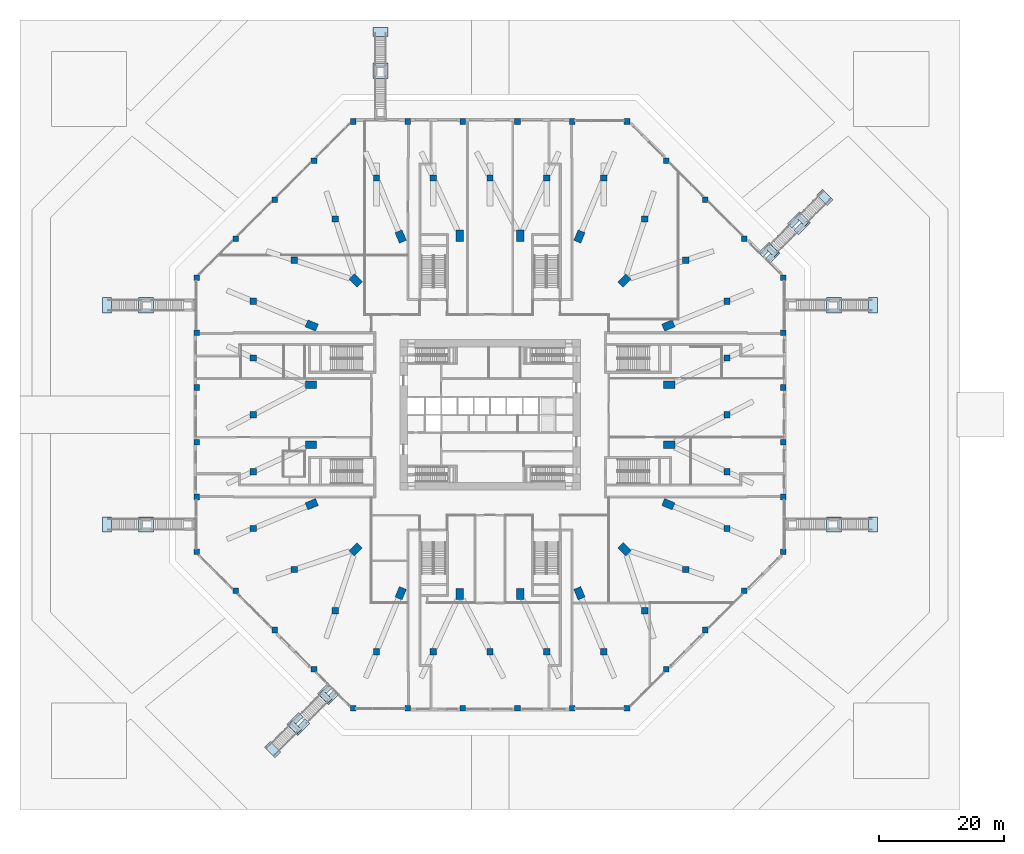
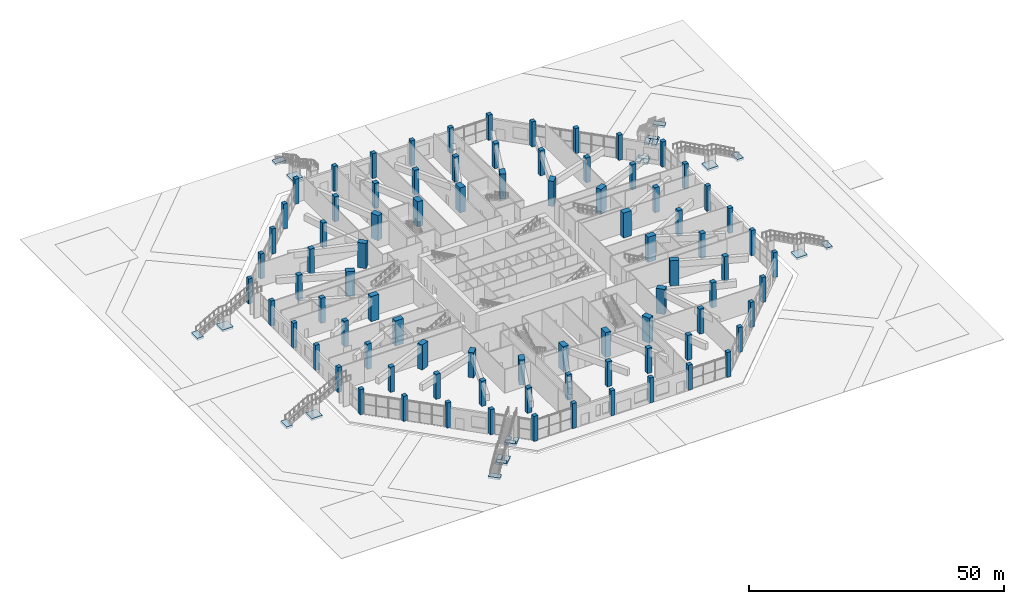
# One storey, part 1 of 36: 84 columns, 24 footings.
"""IFC4 building model written with IfcOpenShell, lengths in metres."""

import ifcopenshell
import ifcopenshell.guid

model = None  # the IFC model being written
_history = None  # IfcOwnerHistory: only IFC2X3 demands one
_inside = {}  # id of a spatial element -> (the spatial element, [elements in it])
_under = {}  # id of a project, library or spatial element -> (it, [spatial elements below it])
_declared = {}  # id of a project -> (the project, [libraries it declares])
_typed = {}  # id of a type object -> (the type object, [elements of that type])
_made_of = {}  # id of a material, layer set ... -> (it, [elements and type objects made of it])


def new_model(schema):
    """Start an empty IFC model of exactly this schema.

    Asked for "IFC4X3", IfcOpenShell would pick the latest addendum, in which some entities
    have other attributes; the version numbers below select the first issue.
    IFC2X3 requires an IfcOwnerHistory on every rooted entity: one is made here for all.
    """
    global model, _history
    if schema == "IFC4X3":
        model = ifcopenshell.file(schema_version=(4, 3, 0, 0))
    else:
        model = ifcopenshell.file(schema=schema)
    _inside.clear()
    _under.clear()
    _declared.clear()
    _typed.clear()
    _made_of.clear()
    _history = None
    if model.schema == "IFC2X3":
        org = make("IfcOrganization", Name="unknown")
        user = make(
            "IfcPersonAndOrganization",
            ThePerson=make("IfcPerson", FamilyName="unknown"),
            TheOrganization=org,
        )
        app = make(
            "IfcApplication",
            ApplicationDeveloper=org,
            Version="unknown",
            ApplicationFullName="unknown",
            ApplicationIdentifier="unknown",
        )
        _history = make(
            "IfcOwnerHistory",
            OwningUser=user,
            OwningApplication=app,
            ChangeAction="ADDED",
            CreationDate=0,
        )
    return model


def make(cls, **values):
    """One entity of the class cls with the attributes given. An attribute that is None is left unset."""
    return model.create_entity(
        cls, **{name: value for name, value in values.items() if value is not None}
    )


def rooted(cls, **values):
    """An entity with a GlobalId (a new one), such as an element, a storey or a relation."""
    return make(cls, GlobalId=ifcopenshell.guid.new(), OwnerHistory=_history, **values)


def si_unit(unit_type, name, prefix=None):
    """IfcSIUnit, for example si_unit("LENGTHUNIT", "METRE", prefix="MILLI")."""
    return make("IfcSIUnit", UnitType=unit_type, Prefix=prefix, Name=name)


def assignment(units):
    """IfcUnitAssignment: the units of a project."""
    return None if units is None else make("IfcUnitAssignment", Units=units)


def point(xyz):
    """IfcCartesianPoint."""
    return None if xyz is None else make("IfcCartesianPoint", Coordinates=xyz)


def direction(xyz):
    """IfcDirection."""
    return None if xyz is None else make("IfcDirection", DirectionRatios=xyz)


def frame(location, z_axis=None, x_axis=None):
    """IfcAxis2Placement3D, a coordinate frame: its origin and axes. An axis left out is left unset."""
    return make(
        "IfcAxis2Placement3D",
        Location=point(location),
        Axis=direction(z_axis),
        RefDirection=direction(x_axis),
    )


def frame_2d(location, x_axis=None):
    """IfcAxis2Placement2D, a coordinate frame in the plane: its origin and x axis."""
    return make(
        "IfcAxis2Placement2D", Location=point(location), RefDirection=direction(x_axis)
    )


def origin():
    """The frame at (0, 0, 0) with its axes left unset."""
    return frame((0.0, 0.0, 0.0))


def origin_2d():
    """The frame at (0, 0) in the plane with its x axis left unset."""
    return frame_2d((0.0, 0.0))


def place(relative_to, where):
    """IfcLocalPlacement: puts the frame where relative to a parent placement (None: the world)."""
    return make(
        "IfcLocalPlacement", PlacementRelTo=relative_to, RelativePlacement=where
    )


def context(
    kind, dimensions, precision=None, world=None, true_north=None, identifier=None
):
    """IfcGeometricRepresentationContext, for example the 3D "Model" context."""
    return make(
        "IfcGeometricRepresentationContext",
        ContextIdentifier=identifier,
        ContextType=kind,
        CoordinateSpaceDimension=dimensions,
        Precision=precision,
        WorldCoordinateSystem=world,
        TrueNorth=true_north,
    )


def subcontext(parent, identifier, kind, view, scale=None):
    """IfcGeometricRepresentationSubContext, for example "Body" below "Model"."""
    return make(
        "IfcGeometricRepresentationSubContext",
        ContextIdentifier=identifier,
        ContextType=kind,
        ParentContext=parent,
        TargetScale=scale,
        TargetView=view,
    )


def project(units=None, contexts=None):
    """IfcProject with its units and contexts."""
    return rooted(
        "IfcProject",
        Name="project",
        RepresentationContexts=contexts,
        UnitsInContext=assignment(units),
    )


def spatial(cls, under=None, at=None, **own):
    """A site, building, storey or space (cls), placed at a placement, below another one or the project."""
    s = rooted(cls, ObjectPlacement=at, **own)
    if under is not None:
        _under.setdefault(under.id(), (under, []))[1].append(s)
    return s


def polyline(points):
    """IfcPolyline through the points."""
    return make("IfcPolyline", Points=[point(p) for p in points])


def profile(cls, at=None, kind="AREA", **sizes):
    """A parametric profile (cls). Its sizes go by their IFC names, for example OverallWidth=200.0."""
    return make(cls, ProfileType=kind, Position=at, **sizes)


def rectangle(**sizes):
    """IfcRectangleProfileDef."""
    return profile("IfcRectangleProfileDef", **sizes)


def outline(outer, holes=None, kind="AREA"):
    """IfcArbitraryClosedProfileDef: a profile drawn as a closed curve; with holes, ...WithVoids."""
    if holes is None:
        return make("IfcArbitraryClosedProfileDef", ProfileType=kind, OuterCurve=outer)
    return make(
        "IfcArbitraryProfileDefWithVoids",
        ProfileType=kind,
        OuterCurve=outer,
        InnerCurves=holes,
    )


def extrude(swept, where, along, depth):
    """IfcExtrudedAreaSolid: the profile swept, set in the frame where, extruded along a direction by depth."""
    return make(
        "IfcExtrudedAreaSolid",
        SweptArea=swept,
        Position=where,
        ExtrudedDirection=direction(along),
        Depth=depth,
    )


def shape(context_of_items, identifier, shape_type, items):
    """IfcShapeRepresentation: the items that make up one representation, for example the "Body"."""
    return make(
        "IfcShapeRepresentation",
        ContextOfItems=context_of_items,
        RepresentationIdentifier=identifier,
        RepresentationType=shape_type,
        Items=items,
    )


def material(Name=None, Category=None):
    """IfcMaterial."""
    return make("IfcMaterial", Name=Name, Category=Category)


def layer(
    of_material, thickness, ventilated=None, Name=None, Category=None, Priority=None
):
    """IfcMaterialLayer: one layer of a wall or slab, of a material (None: an air gap)."""
    return make(
        "IfcMaterialLayer",
        Material=of_material,
        LayerThickness=thickness,
        IsVentilated=ventilated,
        Name=Name,
        Category=Category,
        Priority=Priority,
    )


def layer_set(layers, Name=None):
    """IfcMaterialLayerSet."""
    return make("IfcMaterialLayerSet", MaterialLayers=layers, LayerSetName=Name)


def material_profile(
    of_material, cross_section, Name=None, Category=None, Priority=None
):
    """IfcMaterialProfile: a cross section and its material."""
    return make(
        "IfcMaterialProfile",
        Name=Name,
        Material=of_material,
        Profile=cross_section,
        Priority=Priority,
        Category=Category,
    )


def profile_set(profiles, Name=None, composite=None):
    """IfcMaterialProfileSet."""
    return make(
        "IfcMaterialProfileSet",
        Name=Name,
        MaterialProfiles=profiles,
        CompositeProfile=composite,
    )


def made_of(thing, what):
    """Note that an element or type object is made of a material, layer set ...; save() writes the relation."""
    if what is not None:
        _made_of.setdefault(what.id(), (what, []))[1].append(thing)
    return thing


def type_object(cls, material=None, **own):
    """A type object (cls), such as IfcWallType, which elements share."""
    return made_of(rooted(cls, **own), material)


def element(
    cls,
    number,
    at=None,
    inside=None,
    cuts=None,
    type_object=None,
    material=None,
    context=None,
    identifier="Body",
    shape_type=None,
    held_by="IfcProductDefinitionShape",
    body=None,
    shapes=None,
    **own,
):
    """One element of the class cls, such as IfcWall. Its Tag is "e" and its number.

    at: its placement. inside: the storey or other place that contains it. cuts: it is an
    opening in that element (IfcRelVoidsElement). A single representation is given by context,
    identifier, shape_type and body (its items); several are given by shapes. held_by: the class
    of the entity that holds the representations. save() writes the other relations.
    """
    e = rooted(cls, Tag="e%d" % number, ObjectPlacement=at, **own)
    if body is not None:
        shapes = [shape(context, identifier, shape_type, body)]
    if shapes is not None:
        e.Representation = make(held_by, Representations=shapes)
    if inside is not None:
        _inside.setdefault(inside.id(), (inside, []))[1].append(e)
    if cuts is not None:
        rooted(
            "IfcRelVoidsElement", RelatingBuildingElement=cuts, RelatedOpeningElement=e
        )
    if type_object is not None:
        _typed.setdefault(type_object.id(), (type_object, []))[1].append(e)
    return made_of(e, material)


def aggregate(whole, parts):
    """IfcRelAggregates: a whole, such as a stair, and the parts it consists of."""
    return rooted("IfcRelAggregates", RelatingObject=whole, RelatedObjects=parts)


def save(model, path):
    """Write the relations noted so far, then the file.

    IfcRelAggregates (storeys below a building ...), IfcRelContainedInSpatialStructure (elements
    in a storey), IfcRelDefinesByType, IfcRelAssociatesMaterial and IfcRelDeclares: one each for
    every whole, place, type object, material and project.
    """
    for whole, parts in _under.values():
        aggregate(whole, parts)
    for where, things in _inside.values():
        rooted(
            "IfcRelContainedInSpatialStructure",
            RelatedElements=things,
            RelatingStructure=where,
        )
    for kind, things in _typed.values():
        rooted("IfcRelDefinesByType", RelatedObjects=things, RelatingType=kind)
    for what, things in _made_of.values():
        rooted("IfcRelAssociatesMaterial", RelatedObjects=things, RelatingMaterial=what)
    for by, libraries in _declared.values():
        rooted("IfcRelDeclares", RelatingContext=by, RelatedDefinitions=libraries)
    model.write(path)


model = new_model("IFC4")

# Units and contexts
model_context = context("Model", 3, precision=1e-05, world=origin(), true_north=direction((0.0, 1.0)))
body_context = subcontext(model_context, "Body", "Model", "MODEL_VIEW")
ifc_project = project(units=[si_unit("LENGTHUNIT", "METRE"), si_unit("AREAUNIT", "SQUARE_METRE"), si_unit("VOLUMEUNIT", "CUBIC_METRE"), si_unit("PLANEANGLEUNIT", "RADIAN"), si_unit("MASSUNIT", "GRAM", prefix="KILO")], contexts=[model_context])

# Site, building, storey
site_placement = place(None, origin())
site = spatial("IfcSite", under=ifc_project, at=site_placement, CompositionType="ELEMENT")
building_placement = place(site_placement, origin())
building = spatial("IfcBuilding", under=site, at=building_placement, Name="Msitu Wima Residences", CompositionType="ELEMENT")
storey_placement = place(building_placement, origin())
storey = spatial("IfcBuildingStorey", under=building, at=storey_placement, Name="L00", CompositionType="ELEMENT", Elevation=0.0)

# Footings
ifc_material_1 = material(Name="Concrete C40/50", Category="concrete")
ifc_layer = layer(ifc_material_1, 0.5)
ifc_layer_set = layer_set([ifc_layer], Name="Concrete C40/50")
footing_type_1 = type_object("IfcFootingType", Name="Garden stair pad footing PF1", PredefinedType="PAD_FOOTING", material=ifc_layer_set)
footing_1_placement = place(storey_placement, frame((0.0, 0.0, -0.5)))
element("IfcFooting", 1, at=footing_1_placement, inside=storey, type_object=footing_type_1, Name="Garden stair 1 landing footing", PredefinedType="PAD_FOOTING", context=body_context, shape_type="SweptSolid", body=[
    extrude(outline(polyline([(53.699951171875, 16.28466796875), (53.699951171875, 18.6845703125), (56.10009765625, 18.6845703125), (56.10009765625, 16.28466796875), (53.699951171875, 16.28466796875)])), origin(), (0.0, 0.0, 1.0), 0.5),
])
footing_2_placement = place(storey_placement, frame((0.0, 0.0, -0.5)))
element("IfcFooting", 2, at=footing_2_placement, inside=storey, type_object=footing_type_1, Name="Garden stair 1 foot footing", PredefinedType="PAD_FOOTING", context=body_context, shape_type="SweptSolid", body=[
    extrude(outline(polyline([(60.39990234375, 16.28466796875), (60.39990234375, 18.6845703125), (61.800048828125, 18.6845703125), (61.800048828125, 16.28466796875), (60.39990234375, 16.28466796875)])), origin(), (0.0, 0.0, 1.0), 0.5),
])
footing_3_placement = place(storey_placement, frame((0.0, 0.0, -0.5)))
element("IfcFooting", 3, at=footing_3_placement, inside=storey, type_object=footing_type_1, Name="Garden stair 2 landing footing", PredefinedType="PAD_FOOTING", context=body_context, shape_type="SweptSolid", body=[
    extrude(outline(polyline([(53.699951171875, -18.6845703125), (53.699951171875, -16.28466796875), (56.10009765625, -16.28466796875), (56.10009765625, -18.6845703125), (53.699951171875, -18.6845703125)])), origin(), (0.0, 0.0, 1.0), 0.5),
])
footing_4_placement = place(storey_placement, frame((0.0, 0.0, -0.5)))
element("IfcFooting", 4, at=footing_4_placement, inside=storey, type_object=footing_type_1, Name="Garden stair 2 foot footing", PredefinedType="PAD_FOOTING", context=body_context, shape_type="SweptSolid", body=[
    extrude(outline(polyline([(60.39990234375, -18.6845703125), (60.39990234375, -16.28466796875), (61.800048828125, -16.28466796875), (61.800048828125, -18.6845703125), (60.39990234375, -18.6845703125)])), origin(), (0.0, 0.0, 1.0), 0.5),
])
footing_5_placement = place(storey_placement, frame((0.0, 0.0, -0.5)))
element("IfcFooting", 5, at=footing_5_placement, inside=storey, type_object=footing_type_1, Name="Garden stair 3 landing footing", PredefinedType="PAD_FOOTING", context=body_context, shape_type="SweptSolid", body=[
    extrude(outline(polyline([(-53.699951171875, -16.28466796875), (-53.699951171875, -18.6845703125), (-56.10009765625, -18.6845703125), (-56.10009765625, -16.28466796875), (-53.699951171875, -16.28466796875)])), origin(), (0.0, 0.0, 1.0), 0.5),
])
footing_6_placement = place(storey_placement, frame((0.0, 0.0, -0.5)))
element("IfcFooting", 6, at=footing_6_placement, inside=storey, type_object=footing_type_1, Name="Garden stair 3 foot footing", PredefinedType="PAD_FOOTING", context=body_context, shape_type="SweptSolid", body=[
    extrude(outline(polyline([(-60.39990234375, -16.28466796875), (-60.39990234375, -18.6845703125), (-61.800048828125, -18.6845703125), (-61.800048828125, -16.28466796875), (-60.39990234375, -16.28466796875)])), origin(), (0.0, 0.0, 1.0), 0.5),
])
footing_7_placement = place(storey_placement, frame((0.0, 0.0, -0.5)))
element("IfcFooting", 7, at=footing_7_placement, inside=storey, type_object=footing_type_1, Name="Garden stair 4 landing footing", PredefinedType="PAD_FOOTING", context=body_context, shape_type="SweptSolid", body=[
    extrude(outline(polyline([(-53.699951171875, 18.6845703125), (-53.699951171875, 16.28466796875), (-56.10009765625, 16.28466796875), (-56.10009765625, 18.6845703125), (-53.699951171875, 18.6845703125)])), origin(), (0.0, 0.0, 1.0), 0.5),
])
footing_8_placement = place(storey_placement, frame((0.0, 0.0, -0.5)))
element("IfcFooting", 8, at=footing_8_placement, inside=storey, type_object=footing_type_1, Name="Garden stair 4 foot footing", PredefinedType="PAD_FOOTING", context=body_context, shape_type="SweptSolid", body=[
    extrude(outline(polyline([(-60.39990234375, 18.6845703125), (-60.39990234375, 16.28466796875), (-61.800048828125, 16.28466796875), (-61.800048828125, 18.6845703125), (-60.39990234375, 18.6845703125)])), origin(), (0.0, 0.0, 1.0), 0.5),
])
footing_9_placement = place(storey_placement, frame((0.0, 0.0, -0.5)))
element("IfcFooting", 9, at=footing_9_placement, inside=storey, type_object=footing_type_1, Name="Garden stair 5 landing footing", PredefinedType="PAD_FOOTING", context=body_context, shape_type="SweptSolid", body=[
    extrude(outline(polyline([(-16.28466796875, 53.699951171875), (-18.6845703125, 53.699951171875), (-18.6845703125, 56.10009765625), (-16.28466796875, 56.10009765625), (-16.28466796875, 53.699951171875)])), origin(), (0.0, 0.0, 1.0), 0.5),
])
footing_10_placement = place(storey_placement, frame((0.0, 0.0, -0.5)))
element("IfcFooting", 10, at=footing_10_placement, inside=storey, type_object=footing_type_1, Name="Garden stair 5 foot footing", PredefinedType="PAD_FOOTING", context=body_context, shape_type="SweptSolid", body=[
    extrude(outline(polyline([(-16.28466796875, 60.39990234375), (-18.6845703125, 60.39990234375), (-18.6845703125, 61.800048828125), (-16.28466796875, 61.800048828125), (-16.28466796875, 60.39990234375)])), origin(), (0.0, 0.0, 1.0), 0.5),
])
ifc_material_2 = material(Name="Concrete C30/37", Category="concrete")
footing_type_2 = type_object("IfcFootingType", Name="Stair strip footing SF1000", PredefinedType="STRIP_FOOTING", material=ifc_material_2)
for number, where, z_axis, x_axis, name in (
    (11, (45.060791015625, 25.2919921875, -0.5), (0.0, 0.0, 1.0), (0.707106781187, 0.707106781187, 0.0), "Stair strip footing NE1"),
    (12, (44.000244140625, 26.352783203125, -0.5), (0.0, 0.0, 1.0), (0.707106781187, 0.707106781187, 0.0), "Stair strip footing NE1"),
):
    element("IfcFooting", number, at=place(storey_placement, frame(where, z_axis=z_axis, x_axis=x_axis)), inside=storey, type_object=footing_type_2, Name=name, PredefinedType="STRIP_FOOTING", context=body_context, shape_type="SweptSolid", body=[
        extrude(rectangle(XDim=2.39990234375, YDim=1.0, at=origin_2d()), origin(), (0.0, 0.0, 1.0), 0.5),
    ])
footing_11_placement = place(storey_placement, frame((44.990234375, 26.281982421875, -0.5), z_axis=(0.0, 0.0, 1.0), x_axis=(-0.707106781187, 0.707106781187, 0.0)))
element("IfcFooting", 13, at=footing_11_placement, inside=storey, type_object=footing_type_2, Name="Stair strip footing NE1", PredefinedType="STRIP_FOOTING", context=body_context, shape_type="SweptSolid", body=[
    extrude(rectangle(XDim=2.0, YDim=1.0, at=origin_2d()), origin(), (0.0, 0.0, 1.0), 0.5),
])
for number, where, z_axis, x_axis, name in (
    (14, (49.83056640625, 30.061767578125, -0.5), (0.0, 0.0, 1.0), (0.707106781187, 0.707106781187, 0.0), "Stair strip footing NE1"),
    (15, (48.769775390625, 31.122314453125, -0.5), (0.0, 0.0, 1.0), (0.707106781187, 0.707106781187, 0.0), "Stair strip footing NE1"),
):
    element("IfcFooting", number, at=place(storey_placement, frame(where, z_axis=z_axis, x_axis=x_axis)), inside=storey, type_object=footing_type_2, Name=name, PredefinedType="STRIP_FOOTING", context=body_context, shape_type="SweptSolid", body=[
        extrude(rectangle(XDim=2.70947265625, YDim=1.0, at=origin_2d()), origin(), (0.0, 0.0, 1.0), 0.5),
    ])
footing_12_placement = place(storey_placement, frame((49.869140625, 31.1611328125, -0.5), z_axis=(0.0, 0.0, 1.0), x_axis=(-0.707106781187, 0.707106781187, 0.0)))
element("IfcFooting", 16, at=footing_12_placement, inside=storey, type_object=footing_type_2, Name="Stair strip footing NE1", PredefinedType="STRIP_FOOTING", context=body_context, shape_type="SweptSolid", body=[
    extrude(rectangle(XDim=2.0, YDim=1.0, at=origin_2d()), origin(), (0.0, 0.0, 1.0), 0.5),
])
footing_13_placement = place(storey_placement, frame((53.40478515625, 34.696533203125, -0.5), z_axis=(0.0, 0.0, 1.0), x_axis=(-0.707106781187, -0.707106781187, 0.0)))
element("IfcFooting", 17, at=footing_13_placement, inside=storey, type_object=footing_type_2, Name="Stair foot footing NE1", PredefinedType="STRIP_FOOTING", context=body_context, shape_type="SweptSolid", body=[
    extrude(rectangle(XDim=1.300048828125, YDim=2.39990234375, at=origin_2d()), origin(), (0.0, 0.0, 1.0), 0.5),
])
for number, where, z_axis, x_axis, name in (
    (18, (-26.352783203125, -44.000244140625, -0.5), (0.0, 0.0, 1.0), (-0.707106781187, -0.707106781187, 0.0), "Stair strip footing SW4"),
    (19, (-25.2919921875, -45.060791015625, -0.5), (0.0, 0.0, 1.0), (-0.707106781187, -0.707106781187, 0.0), "Stair strip footing SW4"),
):
    element("IfcFooting", number, at=place(storey_placement, frame(where, z_axis=z_axis, x_axis=x_axis)), inside=storey, type_object=footing_type_2, Name=name, PredefinedType="STRIP_FOOTING", context=body_context, shape_type="SweptSolid", body=[
        extrude(rectangle(XDim=2.39990234375, YDim=1.0, at=origin_2d()), origin(), (0.0, 0.0, 1.0), 0.5),
    ])
footing_14_placement = place(storey_placement, frame((-26.281982421875, -44.990234375, -0.5), z_axis=(0.0, 0.0, 1.0), x_axis=(0.707106781187, -0.707106781187, 0.0)))
element("IfcFooting", 20, at=footing_14_placement, inside=storey, type_object=footing_type_2, Name="Stair strip footing SW4", PredefinedType="STRIP_FOOTING", context=body_context, shape_type="SweptSolid", body=[
    extrude(rectangle(XDim=2.0, YDim=1.0, at=origin_2d()), origin(), (0.0, 0.0, 1.0), 0.5),
])
for number, where, z_axis, x_axis, name in (
    (21, (-31.122314453125, -48.769775390625, -0.5), (0.0, 0.0, 1.0), (-0.707106781187, -0.707106781187, 0.0), "Stair strip footing SW4"),
    (22, (-30.061767578125, -49.83056640625, -0.5), (0.0, 0.0, 1.0), (-0.707106781187, -0.707106781187, 0.0), "Stair strip footing SW4"),
):
    element("IfcFooting", number, at=place(storey_placement, frame(where, z_axis=z_axis, x_axis=x_axis)), inside=storey, type_object=footing_type_2, Name=name, PredefinedType="STRIP_FOOTING", context=body_context, shape_type="SweptSolid", body=[
        extrude(rectangle(XDim=2.70947265625, YDim=1.0, at=origin_2d()), origin(), (0.0, 0.0, 1.0), 0.5),
    ])
footing_15_placement = place(storey_placement, frame((-31.1611328125, -49.869140625, -0.5), z_axis=(0.0, 0.0, 1.0), x_axis=(0.707106781187, -0.707106781187, 0.0)))
element("IfcFooting", 23, at=footing_15_placement, inside=storey, type_object=footing_type_2, Name="Stair strip footing SW4", PredefinedType="STRIP_FOOTING", context=body_context, shape_type="SweptSolid", body=[
    extrude(rectangle(XDim=2.0, YDim=1.0, at=origin_2d()), origin(), (0.0, 0.0, 1.0), 0.5),
])
footing_16_placement = place(storey_placement, frame((-34.696533203125, -53.40478515625, -0.5), z_axis=(0.0, 0.0, 1.0), x_axis=(0.707106781187, 0.707106781187, 0.0)))
element("IfcFooting", 24, at=footing_16_placement, inside=storey, type_object=footing_type_2, Name="Stair foot footing SW4", PredefinedType="STRIP_FOOTING", context=body_context, shape_type="SweptSolid", body=[
    extrude(rectangle(XDim=1.300048828125, YDim=2.39990234375, at=origin_2d()), origin(), (0.0, 0.0, 1.0), 0.5),
])

# Columns
ifc_material_3 = material(Name="Concrete C60/75", Category="concrete")
ifc_material_profile_1 = material_profile(ifc_material_3, rectangle(XDim=0.89990234375, YDim=0.89990234375, at=origin_2d()), Name="RC 900x900")
ifc_profile_set_1 = profile_set([ifc_material_profile_1], Name="Concrete C60/75")
column_type_1 = type_object("IfcColumnType", Name="Base column CB09 900x900", PredefinedType="COLUMN", material=ifc_profile_set_1)
for number, where, z_axis, x_axis, name in (
    (25, (-21.85595703125, -46.800048828125, 0.0), (0.0, 0.0, 1.0), (1.0, 0.0, 0.0), "Column -21.9/-46.8 L00"),
    (26, (-13.113525390625, -46.800048828125, 0.0), (0.0, 0.0, 1.0), (1.0, 0.0, 0.0), "Column -13.1/-46.8 L00"),
    (27, (-4.37109375, -46.800048828125, 0.0), (0.0, 0.0, 1.0), (1.0, 0.0, 0.0), "Column -4.4/-46.8 L00"),
    (28, (4.37109375, -46.800048828125, 0.0), (0.0, 0.0, 1.0), (1.0, 0.0, 0.0), "Column +4.4/-46.8 L00"),
    (29, (13.113525390625, -46.800048828125, 0.0), (0.0, 0.0, 1.0), (1.0, 0.0, 0.0), "Column +13.1/-46.8 L00"),
    (30, (21.85595703125, -46.800048828125, 0.0), (0.0, 0.0, 1.0), (1.0, 0.0, 0.0), "Column +21.9/-46.8 L00"),
    (31, (-28.091796875, -40.56396484375, 0.0), (0.0, 0.0, 1.0), (1.0, 0.0, 0.0), "Column -28.1/-40.6 L00"),
    (32, (28.091796875, -40.56396484375, 0.0), (0.0, 0.0, 1.0), (1.0, 0.0, 0.0), "Column +28.1/-40.6 L00"),
    (33, (-34.327880859375, -34.327880859375, 0.0), (0.0, 0.0, 1.0), (1.0, 0.0, 0.0), "Column -34.3/-34.3 L00"),
    (34, (34.327880859375, -34.327880859375, 0.0), (0.0, 0.0, 1.0), (1.0, 0.0, 0.0), "Column +34.3/-34.3 L00"),
    (35, (-40.56396484375, -28.091796875, 0.0), (0.0, 0.0, 1.0), (1.0, 0.0, 0.0), "Column -40.6/-28.1 L00"),
    (36, (40.56396484375, -28.091796875, 0.0), (0.0, 0.0, 1.0), (1.0, 0.0, 0.0), "Column +40.6/-28.1 L00"),
    (37, (-46.800048828125, -21.85595703125, 0.0), (0.0, 0.0, 1.0), (1.0, 0.0, 0.0), "Column -46.8/-21.9 L00"),
    (38, (46.800048828125, -21.85595703125, 0.0), (0.0, 0.0, 1.0), (1.0, 0.0, 0.0), "Column +46.8/-21.9 L00"),
    (39, (-46.800048828125, -13.113525390625, 0.0), (0.0, 0.0, 1.0), (1.0, 0.0, 0.0), "Column -46.8/-13.1 L00"),
    (40, (46.800048828125, -13.113525390625, 0.0), (0.0, 0.0, 1.0), (1.0, 0.0, 0.0), "Column +46.8/-13.1 L00"),
    (41, (-46.800048828125, -4.37109375, 0.0), (0.0, 0.0, 1.0), (1.0, 0.0, 0.0), "Column -46.8/-4.4 L00"),
    (42, (46.800048828125, -4.37109375, 0.0), (0.0, 0.0, 1.0), (1.0, 0.0, 0.0), "Column +46.8/-4.4 L00"),
    (43, (-46.800048828125, 4.37109375, 0.0), (0.0, 0.0, 1.0), (1.0, 0.0, 0.0), "Column -46.8/+4.4 L00"),
    (44, (46.800048828125, 4.37109375, 0.0), (0.0, 0.0, 1.0), (1.0, 0.0, 0.0), "Column +46.8/+4.4 L00"),
    (45, (-46.800048828125, 13.113525390625, 0.0), (0.0, 0.0, 1.0), (1.0, 0.0, 0.0), "Column -46.8/+13.1 L00"),
    (46, (46.800048828125, 13.113525390625, 0.0), (0.0, 0.0, 1.0), (1.0, 0.0, 0.0), "Column +46.8/+13.1 L00"),
    (47, (-46.800048828125, 21.85595703125, 0.0), (0.0, 0.0, 1.0), (1.0, 0.0, 0.0), "Column -46.8/+21.9 L00"),
    (48, (46.800048828125, 21.85595703125, 0.0), (0.0, 0.0, 1.0), (1.0, 0.0, 0.0), "Column +46.8/+21.9 L00"),
    (49, (-40.56396484375, 28.091796875, 0.0), (0.0, 0.0, 1.0), (1.0, 0.0, 0.0), "Column -40.6/+28.1 L00"),
    (50, (40.56396484375, 28.091796875, 0.0), (0.0, 0.0, 1.0), (1.0, 0.0, 0.0), "Column +40.6/+28.1 L00"),
    (51, (-34.327880859375, 34.327880859375, 0.0), (0.0, 0.0, 1.0), (1.0, 0.0, 0.0), "Column -34.3/+34.3 L00"),
    (52, (34.327880859375, 34.327880859375, 0.0), (0.0, 0.0, 1.0), (1.0, 0.0, 0.0), "Column +34.3/+34.3 L00"),
    (53, (-28.091796875, 40.56396484375, 0.0), (0.0, 0.0, 1.0), (1.0, 0.0, 0.0), "Column -28.1/+40.6 L00"),
    (54, (28.091796875, 40.56396484375, 0.0), (0.0, 0.0, 1.0), (1.0, 0.0, 0.0), "Column +28.1/+40.6 L00"),
    (55, (-21.85595703125, 46.800048828125, 0.0), (0.0, 0.0, 1.0), (1.0, 0.0, 0.0), "Column -21.9/+46.8 L00"),
    (56, (-13.113525390625, 46.800048828125, 0.0), (0.0, 0.0, 1.0), (1.0, 0.0, 0.0), "Column -13.1/+46.8 L00"),
    (57, (-4.37109375, 46.800048828125, 0.0), (0.0, 0.0, 1.0), (1.0, 0.0, 0.0), "Column -4.4/+46.8 L00"),
    (58, (4.37109375, 46.800048828125, 0.0), (0.0, 0.0, 1.0), (1.0, 0.0, 0.0), "Column +4.4/+46.8 L00"),
    (59, (13.113525390625, 46.800048828125, 0.0), (0.0, 0.0, 1.0), (1.0, 0.0, 0.0), "Column +13.1/+46.8 L00"),
    (60, (21.85595703125, 46.800048828125, 0.0), (0.0, 0.0, 1.0), (1.0, 0.0, 0.0), "Column +21.9/+46.8 L00"),
):
    element("IfcColumn", number, at=place(storey_placement, frame(where, z_axis=z_axis, x_axis=x_axis)), inside=storey, type_object=column_type_1, Name=name, PredefinedType="COLUMN", context=body_context, shape_type="SweptSolid", body=[
        extrude(rectangle(XDim=0.89990234375, YDim=0.89990234375, at=origin_2d()), origin(), (0.0, 0.0, 1.0), 6.0),
    ])
ifc_material_profile_2 = material_profile(ifc_material_3, rectangle(XDim=1.0, YDim=1.0, at=origin_2d()), Name="RC 1000x1000")
ifc_profile_set_2 = profile_set([ifc_material_profile_2], Name="Concrete C60/75")
column_type_2 = type_object("IfcColumnType", Name="Base column CB10 1000x1000", PredefinedType="COLUMN", material=ifc_profile_set_2)
for number, where, z_axis, x_axis, name in (
    (61, (-18.1279296875, -37.800048828125, 0.0), (0.0, 0.0, 1.0), (1.0, 0.0, 0.0), "Column -18.1/-37.8 L00"),
    (62, (-9.06396484375, -37.800048828125, 0.0), (0.0, 0.0, 1.0), (1.0, 0.0, 0.0), "Column -9.1/-37.8 L00"),
    (63, (0.0, -37.800048828125, 0.0), (0.0, 0.0, 1.0), (1.0, 0.0, 0.0), "Column 12/-37.8 L00"),
    (64, (9.06396484375, -37.800048828125, 0.0), (0.0, 0.0, 1.0), (1.0, 0.0, 0.0), "Column +9.1/-37.8 L00"),
    (65, (18.1279296875, -37.800048828125, 0.0), (0.0, 0.0, 1.0), (1.0, 0.0, 0.0), "Column +18.1/-37.8 L00"),
    (66, (-24.685302734375, -31.24267578125, 0.0), (0.0, 0.0, 1.0), (1.0, 0.0, 0.0), "Column -24.7/-31.2 L00"),
    (67, (24.685302734375, -31.24267578125, 0.0), (0.0, 0.0, 1.0), (1.0, 0.0, 0.0), "Column +24.7/-31.2 L00"),
    (68, (-31.24267578125, -24.685302734375, 0.0), (0.0, 0.0, 1.0), (1.0, 0.0, 0.0), "Column -31.2/-24.7 L00"),
    (69, (31.24267578125, -24.685302734375, 0.0), (0.0, 0.0, 1.0), (1.0, 0.0, 0.0), "Column +31.2/-24.7 L00"),
    (70, (-37.800048828125, -18.1279296875, 0.0), (0.0, 0.0, 1.0), (1.0, 0.0, 0.0), "Column -37.8/-18.1 L00"),
    (71, (37.800048828125, -18.1279296875, 0.0), (0.0, 0.0, 1.0), (1.0, 0.0, 0.0), "Column +37.8/-18.1 L00"),
    (72, (-37.800048828125, -9.06396484375, 0.0), (0.0, 0.0, 1.0), (1.0, 0.0, 0.0), "Column -37.8/-9.1 L00"),
    (73, (37.800048828125, -9.06396484375, 0.0), (0.0, 0.0, 1.0), (1.0, 0.0, 0.0), "Column +37.8/-9.1 L00"),
    (74, (-37.800048828125, 0.0, 0.0), (0.0, 0.0, 1.0), (1.0, 0.0, 0.0), "Column -37.8/M L00"),
    (75, (37.800048828125, 0.0, 0.0), (0.0, 0.0, 1.0), (1.0, 0.0, 0.0), "Column +37.8/M L00"),
    (76, (-37.800048828125, 9.06396484375, 0.0), (0.0, 0.0, 1.0), (1.0, 0.0, 0.0), "Column -37.8/+9.1 L00"),
    (77, (37.800048828125, 9.06396484375, 0.0), (0.0, 0.0, 1.0), (1.0, 0.0, 0.0), "Column +37.8/+9.1 L00"),
    (78, (-37.800048828125, 18.1279296875, 0.0), (0.0, 0.0, 1.0), (1.0, 0.0, 0.0), "Column -37.8/+18.1 L00"),
    (79, (37.800048828125, 18.1279296875, 0.0), (0.0, 0.0, 1.0), (1.0, 0.0, 0.0), "Column +37.8/+18.1 L00"),
    (80, (-31.24267578125, 24.685302734375, 0.0), (0.0, 0.0, 1.0), (1.0, 0.0, 0.0), "Column -31.2/+24.7 L00"),
    (81, (31.24267578125, 24.685302734375, 0.0), (0.0, 0.0, 1.0), (1.0, 0.0, 0.0), "Column +31.2/+24.7 L00"),
    (82, (-24.685302734375, 31.24267578125, 0.0), (0.0, 0.0, 1.0), (1.0, 0.0, 0.0), "Column -24.7/+31.2 L00"),
    (83, (24.685302734375, 31.24267578125, 0.0), (0.0, 0.0, 1.0), (1.0, 0.0, 0.0), "Column +24.7/+31.2 L00"),
    (84, (-18.1279296875, 37.800048828125, 0.0), (0.0, 0.0, 1.0), (1.0, 0.0, 0.0), "Column -18.1/+37.8 L00"),
    (85, (-9.06396484375, 37.800048828125, 0.0), (0.0, 0.0, 1.0), (1.0, 0.0, 0.0), "Column -9.1/+37.8 L00"),
    (86, (0.0, 37.800048828125, 0.0), (0.0, 0.0, 1.0), (1.0, 0.0, 0.0), "Column 12/+37.8 L00"),
    (87, (9.06396484375, 37.800048828125, 0.0), (0.0, 0.0, 1.0), (1.0, 0.0, 0.0), "Column +9.1/+37.8 L00"),
    (88, (18.1279296875, 37.800048828125, 0.0), (0.0, 0.0, 1.0), (1.0, 0.0, 0.0), "Column +18.1/+37.8 L00"),
):
    element("IfcColumn", number, at=place(storey_placement, frame(where, z_axis=z_axis, x_axis=x_axis)), inside=storey, type_object=column_type_2, Name=name, PredefinedType="COLUMN", context=body_context, shape_type="SweptSolid", body=[
        extrude(rectangle(XDim=1.0, YDim=1.0, at=origin_2d()), origin(), (0.0, 0.0, 1.0), 6.0),
    ])
ifc_material_4 = material(Name="Concrete C70/85", Category="concrete")
ifc_material_profile_3 = material_profile(ifc_material_4, rectangle(XDim=1.199951171875, YDim=1.800048828125, at=origin_2d()), Name="RC 1200x1800")
ifc_profile_set_3 = profile_set([ifc_material_profile_3], Name="Concrete C70/85")
column_type_3 = type_object("IfcColumnType", Name="Base column CB18 1200x1800", PredefinedType="COLUMN", material=ifc_profile_set_3)
for number, where, z_axis, x_axis, name in (
    (89, (-4.800048828125, -28.574951171875, 0.0), (0.0, 0.0, 1.0), (1.0, 0.0, 0.0), "Column 11/-28.6 L00"),
    (90, (4.800048828125, -28.574951171875, 0.0), (0.0, 0.0, 1.0), (1.0, 0.0, 0.0), "Column 13/-28.6 L00"),
    (91, (-14.2568359375, -28.4541015625, 0.0), (0.0, 0.0, 1.0), (0.923879505795, -0.382683496864, 0.0), "Column -14.3/-28.5 L00"),
    (92, (14.2568359375, -28.4541015625, 0.0), (0.0, 0.0, 1.0), (0.923879505795, 0.382683496864, 0.0), "Column +14.3/-28.5 L00"),
    (93, (-21.44091796875, -21.44091796875, 0.0), (0.0, 0.0, 1.0), (0.707106781187, -0.707106781187, 0.0), "Column -21.4/-21.4 L00"),
    (94, (21.44091796875, -21.44091796875, 0.0), (0.0, 0.0, 1.0), (0.707106781187, 0.707106781187, 0.0), "Column +21.4/-21.4 L00"),
    (95, (-28.4541015625, -14.2568359375, 0.0), (0.0, 0.0, 1.0), (0.382683496864, -0.923879505795, 0.0), "Column -28.5/-14.3 L00"),
    (96, (28.4541015625, -14.2568359375, 0.0), (0.0, 0.0, 1.0), (0.382683496864, 0.923879505795, 0.0), "Column +28.5/-14.3 L00"),
    (97, (-28.574951171875, -4.800048828125, 0.0), (0.0, 0.0, 1.0), (0.0, -1.0, 0.0), "Column -28.6/L L00"),
    (98, (28.574951171875, -4.800048828125, 0.0), (0.0, 0.0, 1.0), (0.0, 1.0, 0.0), "Column +28.6/L L00"),
    (99, (-28.574951171875, 4.800048828125, 0.0), (0.0, 0.0, 1.0), (0.0, -1.0, 0.0), "Column -28.6/N L00"),
    (100, (28.574951171875, 4.800048828125, 0.0), (0.0, 0.0, 1.0), (0.0, 1.0, 0.0), "Column +28.6/N L00"),
    (101, (-28.4541015625, 14.2568359375, 0.0), (0.0, 0.0, 1.0), (-0.382683496864, -0.923879505795, 0.0), "Column -28.5/+14.3 L00"),
    (102, (28.4541015625, 14.2568359375, 0.0), (0.0, 0.0, 1.0), (-0.382683496864, 0.923879505795, 0.0), "Column +28.5/+14.3 L00"),
    (103, (-21.44091796875, 21.44091796875, 0.0), (0.0, 0.0, 1.0), (-0.707106781187, -0.707106781187, 0.0), "Column -21.4/+21.4 L00"),
    (104, (21.44091796875, 21.44091796875, 0.0), (0.0, 0.0, 1.0), (-0.707106781187, 0.707106781187, 0.0), "Column +21.4/+21.4 L00"),
    (105, (-14.2568359375, 28.4541015625, 0.0), (0.0, 0.0, 1.0), (-0.923879505795, -0.382683496864, 0.0), "Column -14.3/+28.5 L00"),
    (106, (14.2568359375, 28.4541015625, 0.0), (0.0, 0.0, 1.0), (-0.923879505795, 0.382683496864, 0.0), "Column +14.3/+28.5 L00"),
    (107, (-4.800048828125, 28.574951171875, 0.0), (0.0, 0.0, 1.0), (-1.0, 0.0, 0.0), "Column 11/+28.6 L00"),
    (108, (4.800048828125, 28.574951171875, 0.0), (0.0, 0.0, 1.0), (-1.0, 0.0, 0.0), "Column 13/+28.6 L00"),
):
    element("IfcColumn", number, at=place(storey_placement, frame(where, z_axis=z_axis, x_axis=x_axis)), inside=storey, type_object=column_type_3, Name=name, PredefinedType="COLUMN", context=body_context, shape_type="SweptSolid", body=[
        extrude(rectangle(XDim=1.199951171875, YDim=1.800048828125, at=origin_2d()), origin(), (0.0, 0.0, 1.0), 6.0),
    ])

save(model, "model.ifc")
